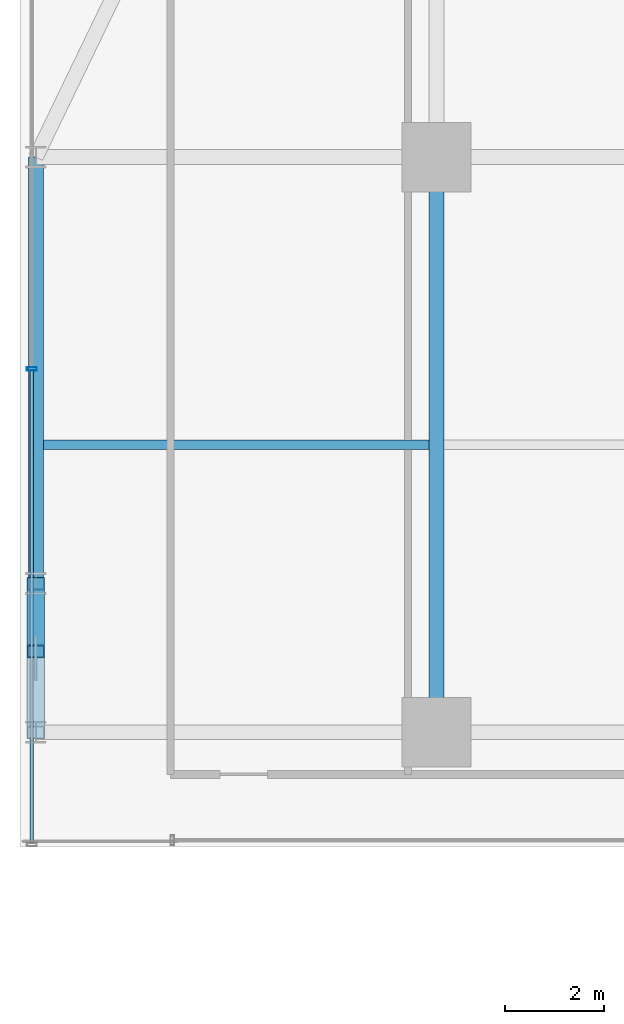
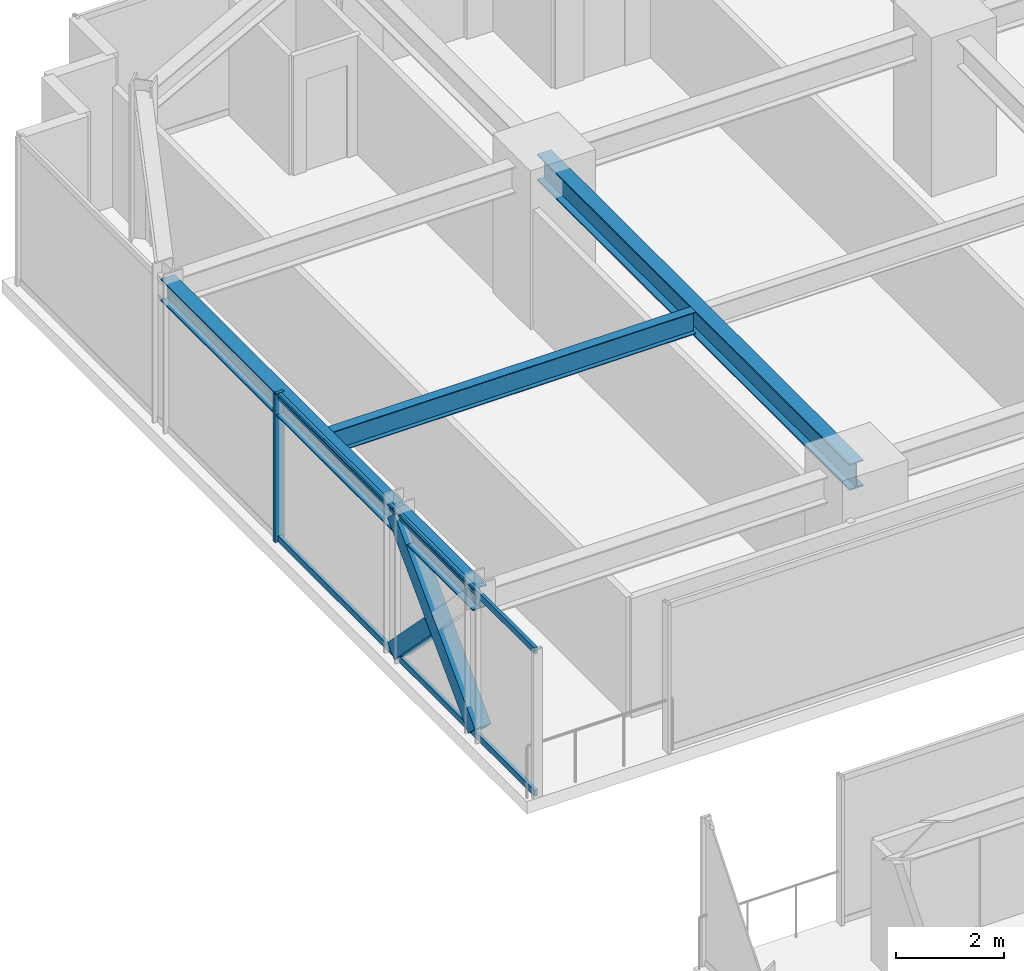
# One storey, part 23 of 41: 5 members, 4 beams, 1 element without a shape of its own.
"""IFC4 building model written with IfcOpenShell, lengths in metres."""

from ifc_helpers import new_model, si_unit, direction, frame, origin, origin_2d, place, context, subcontext, project, spatial, hollow_rectangle, i_section, extrude, source, transform, mapped, material, material_profile, profile_set, type_object, element, aggregate, save


model = new_model("IFC4")

# Units and contexts
model_context = context("Model", 3, precision=1e-05, world=origin(), true_north=direction((0.0, 1.0)))
body_context = subcontext(model_context, "Body", "Model", "MODEL_VIEW")
ifc_project = project(units=[si_unit("LENGTHUNIT", "METRE"), si_unit("AREAUNIT", "SQUARE_METRE"), si_unit("VOLUMEUNIT", "CUBIC_METRE"), si_unit("PLANEANGLEUNIT", "RADIAN"), si_unit("MASSUNIT", "GRAM", prefix="KILO")], contexts=[model_context])

# Site, building, storey
site_placement = place(None, origin())
site = spatial("IfcSite", under=ifc_project, at=site_placement, CompositionType="ELEMENT")
building_placement = place(site_placement, origin())
building = spatial("IfcBuilding", under=site, at=building_placement, Name="Nahalor Promenade Grand Hotel", CompositionType="ELEMENT")
storey_placement = place(building_placement, frame((0.0, 0.0, 54.300048828125)))
storey = spatial("IfcBuildingStorey", under=building, at=storey_placement, Name="L12", CompositionType="ELEMENT", Elevation=54.300048828125)

# Beams
ifc_material_1 = material(Name="Steel S355JR", Category="steel")
ifc_material_profile_1 = material_profile(ifc_material_1, i_section(OverallWidth=0.3, OverallDepth=0.6, WebThickness=0.0155, FlangeThickness=0.03, at=origin_2d()), Name="HEB 600")
ifc_profile_set_1 = profile_set([ifc_material_profile_1], Name="Steel S355JR")
beam_type_1 = type_object("IfcBeamType", Name="Beam-Girder-HEB600", PredefinedType="BEAM", material=ifc_profile_set_1)
shared_shape_1 = source(origin(), body_context, "Body", "SweptSolid", [
    extrude(i_section(OverallWidth=0.3, OverallDepth=0.6, WebThickness=0.0155, FlangeThickness=0.03, at=origin_2d()), origin(), (0.0, 0.0, 1.0), 11.60009765625),
])
beam_1_placement = place(storey_placement, frame((-17.0, 5.39990234375, 3.070068359375), z_axis=(0.0, 1.0, 0.0), x_axis=(-1.0, 0.0, 0.0)))
element("IfcBeam", 1, at=beam_1_placement, inside=storey, type_object=beam_type_1, Name="BM-L12-GY-0-3", PredefinedType="BEAM", context=body_context, shape_type="MappedRepresentation", body=[
    mapped(shared_shape_1, transform((0.0, 0.0, 0.0), scale=1.0)),
])
ifc_material_profile_2 = material_profile(ifc_material_1, i_section(OverallWidth=0.3, OverallDepth=0.5, WebThickness=0.0145, FlangeThickness=0.028, at=origin_2d()), Name="HEB 500")
ifc_profile_set_2 = profile_set([ifc_material_profile_2], Name="Steel S355JR")
beam_type_2 = type_object("IfcBeamType", Name="Beam-Spandrel-HEB500", PredefinedType="SPANDREL", material=ifc_profile_set_2)
shared_shape_2 = source(origin(), body_context, "Body", "SweptSolid", [
    extrude(i_section(OverallWidth=0.3, OverallDepth=0.5, WebThickness=0.0145, FlangeThickness=0.028, at=origin_2d()), origin(), (0.0, 0.0, 1.0), 8.60009765625),
])
beam_2_placement = place(storey_placement, frame((-25.080078125, 8.39990234375, 3.119873046875), z_axis=(0.0, 1.0, 0.0), x_axis=(-1.0, 0.0, 0.0)))
element("IfcBeam", 2, at=beam_2_placement, inside=storey, type_object=beam_type_2, Name="BM-L12-SP-W-4", PredefinedType="SPANDREL", context=body_context, shape_type="MappedRepresentation", body=[
    mapped(shared_shape_2, transform((0.0, 0.0, 0.0), scale=1.0)),
])
shared_shape_3 = source(origin(), body_context, "Body", "SweptSolid", [
    extrude(i_section(OverallWidth=0.3, OverallDepth=0.5, WebThickness=0.0145, FlangeThickness=0.028, at=origin_2d()), origin(), (0.0, 0.0, 1.0), 3.0),
])
beam_3_placement = place(storey_placement, frame((-25.080078125, 5.39990234375, 3.119873046875), z_axis=(0.0, 1.0, 0.0), x_axis=(-1.0, 0.0, 0.0)))
element("IfcBeam", 3, at=beam_3_placement, inside=storey, type_object=beam_type_2, Name="BM-L12-SP-W-3", PredefinedType="SPANDREL", context=body_context, shape_type="MappedRepresentation", body=[
    mapped(shared_shape_3, transform((0.0, 0.0, 0.0), scale=1.0)),
])
ifc_material_profile_3 = material_profile(ifc_material_1, i_section(OverallWidth=0.2, OverallDepth=0.5, WebThickness=0.0102, FlangeThickness=0.016, at=origin_2d()), Name="IPE 500")
ifc_profile_set_3 = profile_set([ifc_material_profile_3], Name="Steel S355JR")
beam_type_3 = type_object("IfcBeamType", Name="Beam-Joist-IPE500", PredefinedType="JOIST", material=ifc_profile_set_3)
shared_shape_4 = source(origin(), body_context, "Body", "SweptSolid", [
    extrude(i_section(OverallWidth=0.2, OverallDepth=0.5, WebThickness=0.0102, FlangeThickness=0.016, at=origin_2d()), origin(), (0.0, 0.0, 1.0), 7.780029296875),
])
beam_4_placement = place(storey_placement, frame((-24.929931640625, 11.199951171875, 3.119873046875), z_axis=(1.0, 0.0, 0.0), x_axis=(0.0, 1.0, 0.0)))
element("IfcBeam", 4, at=beam_4_placement, inside=storey, type_object=beam_type_3, Name="BM-L12-JSW-1-0", PredefinedType="JOIST", context=body_context, shape_type="MappedRepresentation", body=[
    mapped(shared_shape_4, transform((0.0, 0.0, 0.0), scale=1.0)),
])

# Members
ifc_material_profile_4 = material_profile(ifc_material_1, hollow_rectangle(XDim=0.35, YDim=0.35, WallThickness=0.02, at=origin_2d()), Name="SHS 350x350x20")
ifc_profile_set_4 = profile_set([ifc_material_profile_4], Name="Steel S355JR")
member_type_1 = type_object("IfcMemberType", Name="Mem-VoidBrace-SHS350", PredefinedType="BRACE", material=ifc_profile_set_4)
shared_shape_5 = source(origin(), body_context, "Body", "SweptSolid", [
    extrude(hollow_rectangle(XDim=0.35, YDim=0.35, WallThickness=0.02, at=origin_2d()), origin(), (0.0, 0.0, 1.0), 4.29248046875),
])
member_1_placement = place(storey_placement, frame((-25.080078125, 5.39990234375, 0.14990234375), z_axis=(0.0, 0.698897904453, 0.715221447631), x_axis=(-1.0, 0.0, 0.0)))
element("IfcMember", 5, at=member_1_placement, inside=storey, type_object=member_type_1, Name="EXO-L12-VX1-W1", PredefinedType="BRACE", context=body_context, shape_type="MappedRepresentation", body=[
    mapped(shared_shape_5, transform((0.0, 0.0, 0.0), scale=1.0)),
])
shared_shape_6 = source(origin(), body_context, "Body", "SweptSolid", [
    extrude(hollow_rectangle(XDim=0.35, YDim=0.35, WallThickness=0.02, at=origin_2d()), origin(), (0.0, 0.0, 1.0), 1.959228515625),
])
member_2_placement = place(storey_placement, frame((-25.080078125, 8.39990234375, 0.14990234375), z_axis=(0.0, -0.698834435327, 0.715283462692), x_axis=(1.0, 0.0, 0.0)))
element("IfcMember", 6, at=member_2_placement, inside=storey, type_object=member_type_1, Name="EXO-L12-VX2-W1A", PredefinedType="BRACE", context=body_context, shape_type="MappedRepresentation", body=[
    mapped(shared_shape_6, transform((0.0, 0.0, 0.0), scale=1.0)),
])

# Curtain wall, members
ifc_material_2 = material(Name="Anodised Bronze Aluminium EN AW-6063 T6", Category="aluminium")
curtain_wall_type = type_object("IfcCurtainWallType", Name="CW3 Elliptical-Void Collar Unitised Curtain Wall", PredefinedType="USERDEFINED", material=ifc_material_2)
curtain_wall_placement = place(storey_placement, origin())
curtain_wall = element("IfcCurtainWall", 7, at=curtain_wall_placement, inside=storey, type_object=curtain_wall_type, Name="L12 Curtain Wall CW-L12-W-2", ObjectType="UNITISED_CURTAIN_WALL", PredefinedType="USERDEFINED")
ifc_material_profile_5 = material_profile(ifc_material_2, hollow_rectangle(XDim=0.07, YDim=0.2, WallThickness=0.005, at=origin_2d()), Name="CWM 70x200x5")
ifc_profile_set_5 = profile_set([ifc_material_profile_5], Name="Anodised Bronze Aluminium EN AW-6063 T6")
member_type_2 = type_object("IfcMemberType", Name="CWM3 Void Collar Mullion 70x200", PredefinedType="MULLION", material=ifc_profile_set_5)
shared_shape_7 = source(origin(), body_context, "Body", "SweptSolid", [
    extrude(hollow_rectangle(XDim=0.07, YDim=0.2, WallThickness=0.005, at=origin_2d()), origin(), (0.0, 0.0, 1.0), 3.369873046875),
])
member_3_placement = place(storey_placement, frame((-25.159912109375, 12.72998046875, 0.0), z_axis=(0.0, 0.0, 1.0), x_axis=(0.0, 1.0, 0.0)))
member_3 = element("IfcMember", 8, at=member_3_placement, type_object=member_type_2, Name="CW-L12-W-2 Mullion 1", PredefinedType="MULLION", context=body_context, shape_type="MappedRepresentation", body=[
    mapped(shared_shape_7, transform((0.0, 0.0, 0.0), scale=1.0)),
])
ifc_material_profile_6 = material_profile(ifc_material_2, hollow_rectangle(XDim=0.07, YDim=0.14, WallThickness=0.004, at=origin_2d()), Name="CWT 70x140x4")
ifc_profile_set_6 = profile_set([ifc_material_profile_6], Name="Anodised Bronze Aluminium EN AW-6063 T6")
member_type_3 = type_object("IfcMemberType", Name="CWT3 Void Collar Transom 70x140", PredefinedType="USERDEFINED", material=ifc_profile_set_6)
shared_shape_8 = source(origin(), body_context, "Body", "SweptSolid", [
    extrude(hollow_rectangle(XDim=0.07, YDim=0.14, WallThickness=0.004, at=origin_2d()), origin(), (0.0, 0.0, 1.0), 9.525146484375),
])
member_4_placement = place(storey_placement, frame((-25.159912109375, 3.169921875, 0.070068359375), z_axis=(0.0, 1.0, 0.0), x_axis=(-1.0, 0.0, 0.0)))
member_4 = element("IfcMember", 9, at=member_4_placement, type_object=member_type_3, Name="CW-L12-W-2 Transom 0-0", ObjectType="TRANSOM", PredefinedType="USERDEFINED", context=body_context, shape_type="MappedRepresentation", body=[
    mapped(shared_shape_8, transform((0.0, 0.0, 0.0), scale=1.0)),
])
member_5_placement = place(storey_placement, frame((-25.159912109375, 3.169921875, 3.300048828125), z_axis=(0.0, 1.0, 0.0), x_axis=(-1.0, 0.0, 0.0)))
member_5 = element("IfcMember", 10, at=member_5_placement, type_object=member_type_3, Name="CW-L12-W-2 Transom 0-1", ObjectType="TRANSOM", PredefinedType="USERDEFINED", context=body_context, shape_type="MappedRepresentation", body=[
    mapped(shared_shape_8, transform((0.0, 0.0, 0.0), scale=1.0)),
])
aggregate(curtain_wall, [member_3, member_4, member_5])

save(model, "model.ifc")
